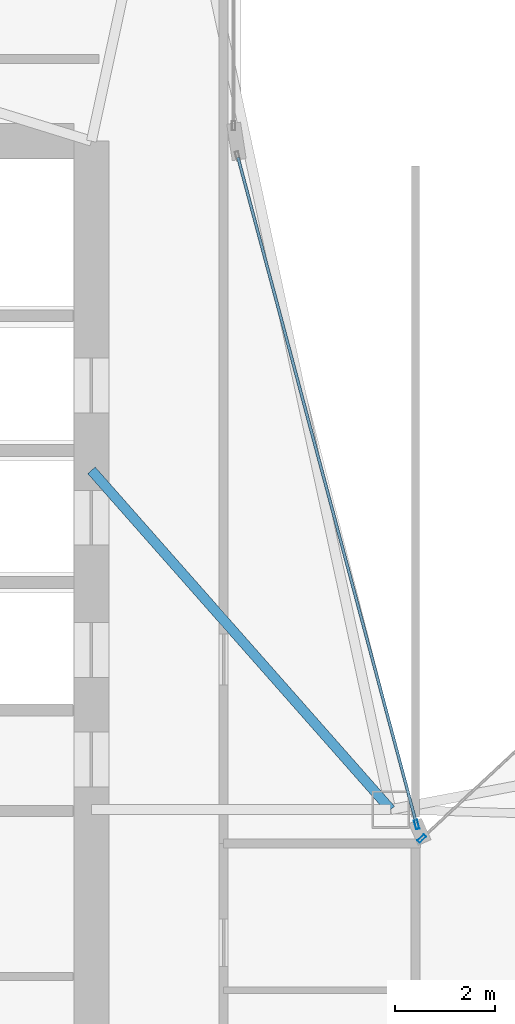
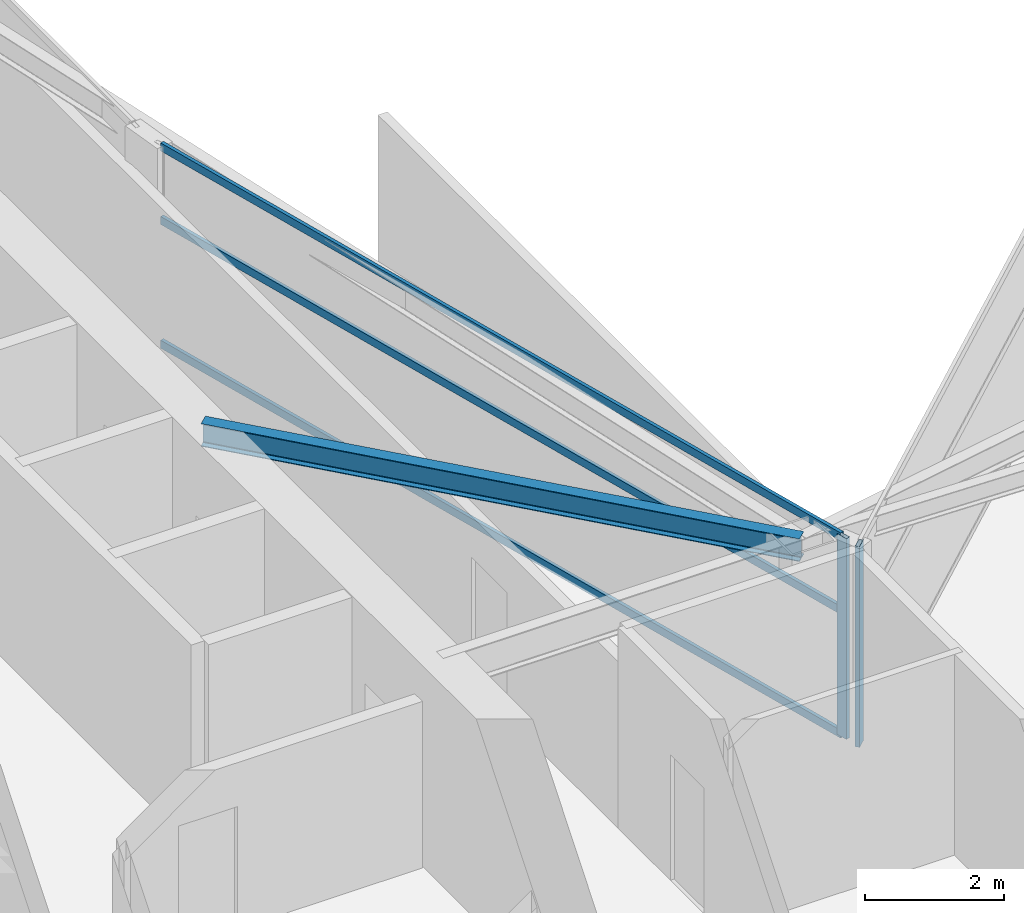
# One storey, part 10 of 27: 5 members, 1 beam, 2 elements without a shape of their own.
"""IFC4 building model written with IfcOpenShell, lengths in metres."""

from ifc_helpers import new_model, si_unit, direction, frame, origin, origin_2d, place, context, subcontext, project, spatial, hollow_rectangle, i_section, extrude, material, layer, layer_set, material_profile, profile_set, type_object, element, aggregate, save


model = new_model("IFC4")

# Units and contexts
model_context = context("Model", 3, precision=1e-05, world=origin(), true_north=direction((0.0, 1.0)))
body_context = subcontext(model_context, "Body", "Model", "MODEL_VIEW")
ifc_project = project(units=[si_unit("LENGTHUNIT", "METRE"), si_unit("AREAUNIT", "SQUARE_METRE"), si_unit("VOLUMEUNIT", "CUBIC_METRE"), si_unit("PLANEANGLEUNIT", "RADIAN"), si_unit("MASSUNIT", "GRAM", prefix="KILO")], contexts=[model_context])

# Site, building, storey
site_placement = place(None, origin())
site = spatial("IfcSite", under=ifc_project, at=site_placement, CompositionType="ELEMENT")
building_placement = place(site_placement, origin())
building = spatial("IfcBuilding", under=site, at=building_placement, Name="Calvorn Quay Hotel", CompositionType="ELEMENT")
storey_placement = place(building_placement, frame((0.0, 0.0, 230.699951171875)))
storey = spatial("IfcBuildingStorey", under=building, at=storey_placement, Name="L57", CompositionType="ELEMENT", Elevation=230.699951171875)

# Beam
ifc_material_1 = material(Name="Steel Q355B", Category="steel")
ifc_material_profile_1 = material_profile(ifc_material_1, i_section(OverallWidth=0.199951171875, OverallDepth=0.39990234375, WebThickness=0.008056640625, FlangeThickness=0.012939453125, FilletRadius=0.01611328125, at=origin_2d()), Name="HN400x200x8x13")
ifc_profile_set_1 = profile_set([ifc_material_profile_1], Name="Steel Q355B")
beam_type = type_object("IfcBeamType", Name="BM-JOIST-TYP", PredefinedType="JOIST", material=ifc_profile_set_1)
beam_placement = place(storey_placement, frame((15.0, 31.800048828125, 3.320068359375), z_axis=(0.661618965899, -0.749840212287, 0.0), x_axis=(0.749840212287, 0.661618965899, 0.0)))
element("IfcBeam", 1, at=beam_placement, inside=storey, type_object=beam_type, Name="Beam BJ-L57-C1", PredefinedType="JOIST", context=body_context, shape_type="SweptSolid", body=[
    extrude(i_section(OverallWidth=0.199951171875, OverallDepth=0.39990234375, WebThickness=0.008056640625, FlangeThickness=0.012939453125, FilletRadius=0.01611328125, at=origin_2d()), origin(), (0.0, 0.0, 1.0), 9.068603515625),
])

# Curtain wall, member
ifc_material_2 = material(Name="Champagne Bronze Anodised Aluminium and Low-E Glass", Category="aluminium")
ifc_layer = layer(ifc_material_2, 0.219970703125)
ifc_layer_set = layer_set([ifc_layer], Name="CW-SYS-Z3")
curtain_wall_type = type_object("IfcCurtainWallType", Name="CW-SYS-Z3", PredefinedType="NOTDEFINED", material=ifc_layer_set)
curtain_wall_1_placement = place(storey_placement, origin())
curtain_wall_1 = element("IfcCurtainWall", 2, at=curtain_wall_1_placement, inside=storey, type_object=curtain_wall_type, Name="Inner Court Curtain Wall L57-NE1", PredefinedType="NOTDEFINED")
ifc_material_3 = material(Name="Champagne Bronze Anodised Aluminium 6063-T6", Category="aluminium")
ifc_material_profile_2 = material_profile(ifc_material_3, hollow_rectangle(XDim=0.068115234375, YDim=0.18505859375, WallThickness=0.00390625, at=origin_2d()), Name="ALU-M185x68x4")
ifc_profile_set_2 = profile_set([ifc_material_profile_2], Name="Champagne Bronze Anodised Aluminium 6063-T6")
member_type_1 = type_object("IfcMemberType", Name="CW-SYS-Z3-MUL", PredefinedType="MULLION", material=ifc_profile_set_2)
member_1_placement = place(storey_placement, frame((21.6220703125, 24.42041015625, 0.0), z_axis=(0.0, 0.0, 1.0), x_axis=(0.681603655102, -0.731721570922, 0.0)))
member_1 = element("IfcMember", 3, at=member_1_placement, type_object=member_type_1, Name="CW-L57-NE1 mullion 3", PredefinedType="MULLION", context=body_context, shape_type="SweptSolid", body=[
    extrude(hollow_rectangle(XDim=0.068115234375, YDim=0.18505859375, WallThickness=0.00390625, at=origin_2d()), origin(), (0.0, 0.0, 1.0), 3.52001953125),
])
aggregate(curtain_wall_1, [member_1])

# Curtain wall, members
curtain_wall_2_placement = place(storey_placement, origin())
curtain_wall_2 = element("IfcCurtainWall", 4, at=curtain_wall_2_placement, inside=storey, type_object=curtain_wall_type, Name="Inner Court Curtain Wall L57-IC1", PredefinedType="NOTDEFINED")
member_2_placement = place(storey_placement, frame((21.520263671875, 24.698974609375, 0.0), z_axis=(0.0, 0.0, 1.0), x_axis=(-0.96593652056, -0.25877913024, 0.0)))
member_2 = element("IfcMember", 5, at=member_2_placement, type_object=member_type_1, Name="CW-L57-IC1 mullion 1", PredefinedType="MULLION", context=body_context, shape_type="SweptSolid", body=[
    extrude(hollow_rectangle(XDim=0.068115234375, YDim=0.18505859375, WallThickness=0.00390625, at=origin_2d()), origin(), (0.0, 0.0, 1.0), 3.52001953125),
])
ifc_material_4 = material(Name="Champagne Bronze Anodised Aluminium 6063-T6", Category="aluminium")
ifc_material_profile_3 = material_profile(ifc_material_4, hollow_rectangle(XDim=0.05810546875, YDim=0.139892578125, WallThickness=0.003173828125, at=origin_2d()), Name="ALU-T140x58x3.2")
ifc_profile_set_3 = profile_set([ifc_material_profile_3], Name="Champagne Bronze Anodised Aluminium 6063-T6")
member_type_2 = type_object("IfcMemberType", Name="CW-SYS-Z3-TRN", PredefinedType="USERDEFINED", material=ifc_profile_set_3)
member_3_placement = place(storey_placement, frame((21.512451171875, 24.72802734375, 0.030029296875), z_axis=(-0.258781136883, 0.965935982969, 0.0), x_axis=(-0.965935982969, -0.258781136883, 0.0)))
member_3 = element("IfcMember", 6, at=member_3_placement, type_object=member_type_2, Name="CW-L57-IC1 transom 1.1", ObjectType="TRANSOM", PredefinedType="USERDEFINED", context=body_context, shape_type="SweptSolid", body=[
    extrude(hollow_rectangle(XDim=0.05810546875, YDim=0.139892578125, WallThickness=0.003173828125, at=origin_2d()), origin(), (0.0, 0.0, 1.0), 13.814453125),
])
member_4_placement = place(storey_placement, frame((21.512451171875, 24.72802734375, 2.199951171875), z_axis=(-0.258781136883, 0.965935982969, 0.0), x_axis=(-0.965935982969, -0.258781136883, 0.0)))
member_4 = element("IfcMember", 7, at=member_4_placement, type_object=member_type_2, Name="CW-L57-IC1 transom 1.2", ObjectType="TRANSOM", PredefinedType="USERDEFINED", context=body_context, shape_type="SweptSolid", body=[
    extrude(hollow_rectangle(XDim=0.05810546875, YDim=0.139892578125, WallThickness=0.003173828125, at=origin_2d()), origin(), (0.0, 0.0, 1.0), 13.814453125),
])
member_5_placement = place(storey_placement, frame((21.512451171875, 24.72802734375, 3.489990234375), z_axis=(-0.258781136883, 0.965935982969, 0.0), x_axis=(-0.965935982969, -0.258781136883, 0.0)))
member_5 = element("IfcMember", 8, at=member_5_placement, type_object=member_type_2, Name="CW-L57-IC1 transom 1.3", ObjectType="TRANSOM", PredefinedType="USERDEFINED", context=body_context, shape_type="SweptSolid", body=[
    extrude(hollow_rectangle(XDim=0.05810546875, YDim=0.139892578125, WallThickness=0.003173828125, at=origin_2d()), origin(), (0.0, 0.0, 1.0), 13.814453125),
])
aggregate(curtain_wall_2, [member_2, member_3, member_4, member_5])

save(model, "model.ifc")
